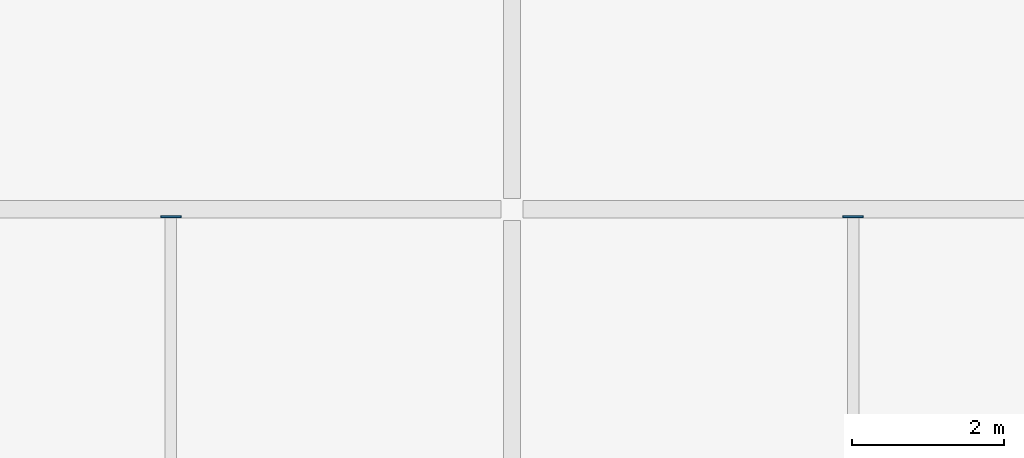
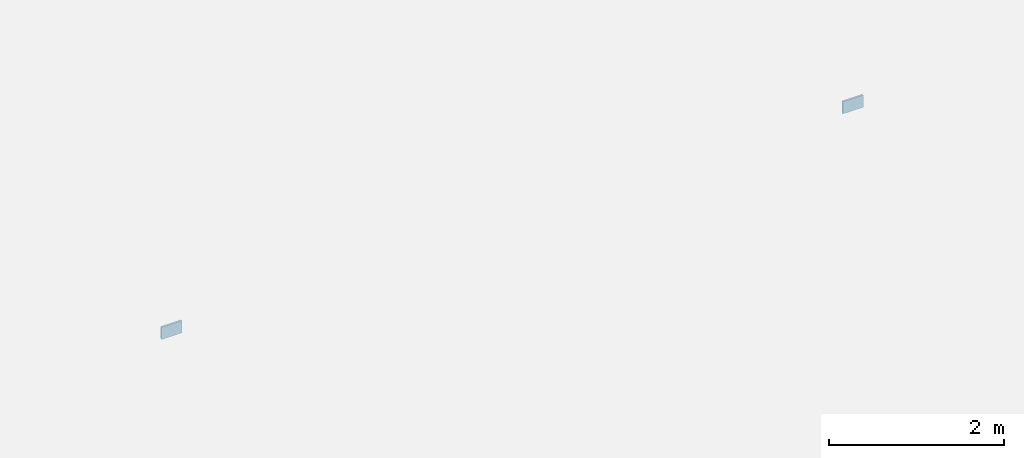
# One storey, part 6 of 7: 2 plates.
"""IFC4 building model written with IfcOpenShell, lengths in metres."""

from ifc_helpers import new_model, si_unit, direction, frame, origin, origin_2d, place, context, subcontext, project, spatial, rectangle, extrude, material, layer, layer_set, type_object, element, save


model = new_model("IFC4")

# Units and contexts
model_context = context("Model", 3, precision=1e-05, world=origin(), true_north=direction((0.0, 1.0)))
body_context = subcontext(model_context, "Body", "Model", "MODEL_VIEW")
ifc_project = project(units=[si_unit("LENGTHUNIT", "METRE"), si_unit("AREAUNIT", "SQUARE_METRE"), si_unit("VOLUMEUNIT", "CUBIC_METRE"), si_unit("PLANEANGLEUNIT", "RADIAN"), si_unit("MASSUNIT", "GRAM", prefix="KILO")], contexts=[model_context])

# Site, building, storey
site_placement = place(None, origin())
site = spatial("IfcSite", under=ifc_project, at=site_placement, CompositionType="ELEMENT")
building_placement = place(site_placement, origin())
building = spatial("IfcBuilding", under=site, at=building_placement, Name="Celestram Park Convention Centre", CompositionType="ELEMENT")
storey_placement = place(building_placement, frame((0.0, 0.0, 28.800048828125)))
storey = spatial("IfcBuildingStorey", under=building, at=storey_placement, Name="RF", CompositionType="ELEMENT", Elevation=28.800048828125)

# Plates
ifc_material = material(Name="Steel ASTM A572 Grade 50", Category="steel")
ifc_layer = layer(ifc_material, 0.02490234375)
ifc_layer_set = layer_set([ifc_layer], Name="Steel ASTM A572 Grade 50")
plate_type = type_object("IfcPlateType", Name="STR-PLT-EC250", PredefinedType="USERDEFINED", material=ifc_layer_set)
for number, where, z_axis, x_axis, name in (
    (1, (76.5, 143.902099609375, -0.449951171875), (0.0, 0.0, 1.0), (1.0, 0.0, 0.0), "HSS purlin end closure cap plate EC-RF-196"),
    (2, (85.5, 143.902099609375, -0.449951171875), (0.0, 0.0, 1.0), (1.0, 0.0, 0.0), "HSS purlin end closure cap plate EC-RF-198"),
):
    element("IfcPlate", number, at=place(storey_placement, frame(where, z_axis=z_axis, x_axis=x_axis)), inside=storey, type_object=plate_type, Name=name, ObjectType="GUSSET_PLATE", PredefinedType="USERDEFINED", context=body_context, shape_type="SweptSolid", body=[
        extrude(rectangle(XDim=0.27001953125, YDim=0.02490234375, at=origin_2d()), origin(), (0.0, 0.0, 1.0), 0.169921875),
    ])

save(model, "model.ifc")
